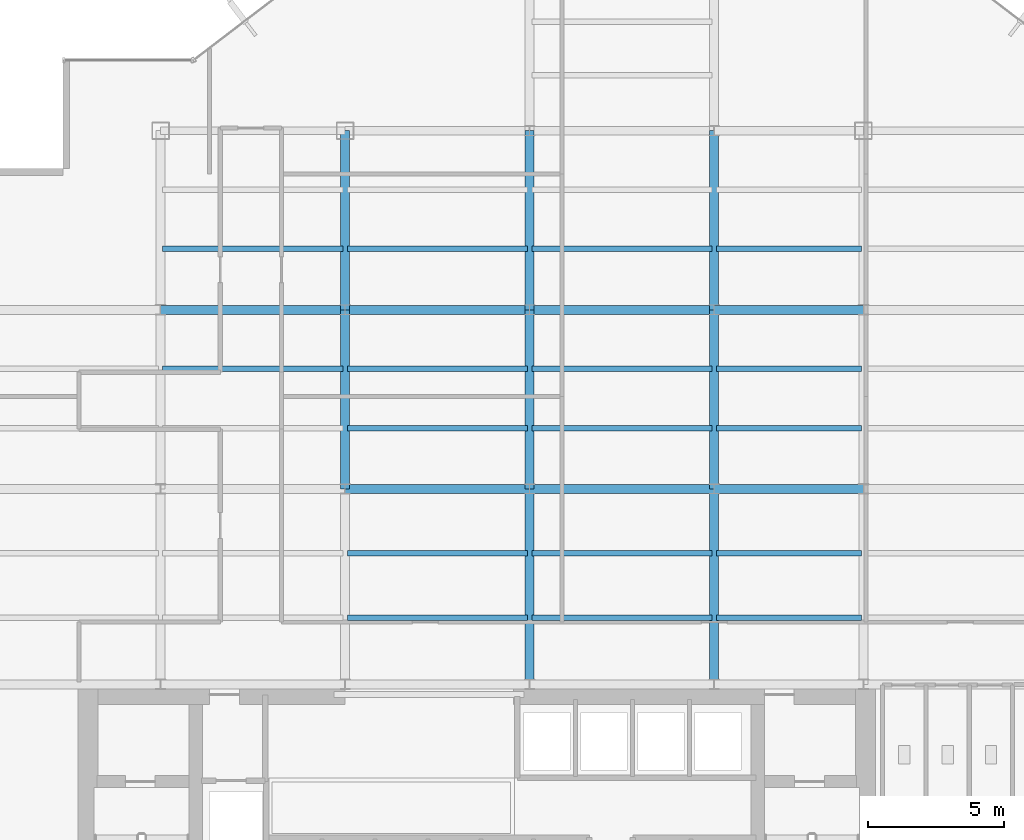
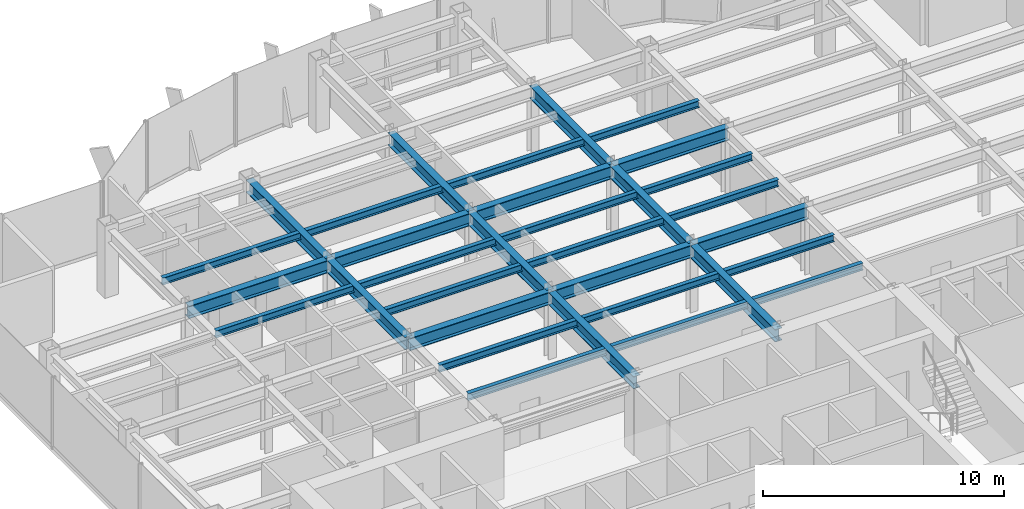
# One storey, part 8 of 23: 32 beams.
"""IFC4 building model written with IfcOpenShell, lengths in metres."""

from ifc_helpers import new_model, si_unit, derived_unit, direction, frame, origin, origin_2d, place, context, subcontext, project, spatial, i_section, extrude, source, transform, mapped, material, material_profile, profile_set, type_object, element, save


model = new_model("IFC4")

# Units and contexts
model_context = context("Model", 3, precision=1e-05, world=origin(), true_north=direction((0.0, 1.0)))
body_context = subcontext(model_context, "Body", "Model", "MODEL_VIEW")
ifc_project = project(units=[si_unit("LENGTHUNIT", "METRE"), si_unit("AREAUNIT", "SQUARE_METRE"), si_unit("VOLUMEUNIT", "CUBIC_METRE"), si_unit("PLANEANGLEUNIT", "RADIAN"), si_unit("MASSUNIT", "GRAM", prefix="KILO"), derived_unit("THERMALTRANSMITTANCEUNIT", [(si_unit("POWERUNIT", "WATT"), 1), (si_unit("LENGTHUNIT", "METRE"), -2), (si_unit("THERMODYNAMICTEMPERATUREUNIT", "KELVIN"), -1)])], contexts=[model_context])

# Site, building, storey
site_placement = place(None, origin())
site = spatial("IfcSite", under=ifc_project, at=site_placement, CompositionType="ELEMENT")
building_placement = place(site_placement, origin())
building = spatial("IfcBuilding", under=site, at=building_placement, Name="Skarnbrae Concourse Arena and Tower", CompositionType="ELEMENT")
storey_placement = place(building_placement, frame((0.0, 0.0, 140.60009765625)))
storey = spatial("IfcBuildingStorey", under=building, at=storey_placement, Name="L35", CompositionType="ELEMENT", Elevation=140.60009765625)

# Beams
ifc_material = material(Name="Steel CSA G40.21 350W", Category="steel")
ifc_material_profile_1 = material_profile(ifc_material, i_section(OverallWidth=0.3291015625, OverallDepth=0.635009765625, WebThickness=0.017822265625, FlangeThickness=0.031005859375, at=origin_2d()), Name="W610X241")
ifc_profile_set_1 = profile_set([ifc_material_profile_1], Name="Steel CSA G40.21 350W")
beam_type_1 = type_object("IfcBeamType", Name="BM-GIRD-W610X241", PredefinedType="BEAM", material=ifc_profile_set_1)
shared_shape_1 = source(origin(), body_context, "Body", "SweptSolid", [
    extrude(i_section(OverallWidth=0.3291015625, OverallDepth=0.635009765625, WebThickness=0.017822265625, FlangeThickness=0.031005859375, at=origin_2d()), origin(), (0.0, 0.0, 1.0), 6.60009765625),
])
for number, where, z_axis, x_axis, name in (
    (1, (14.39990234375, 21.199951171875, 3.08251953125), (0.0, 1.0, 0.0), (-1.0, 0.0, 0.0), "L35 Primary N-S girder X14.4-2"),
    (2, (21.199951171875, 21.199951171875, 3.08251953125), (0.0, 1.0, 0.0), (-1.0, 0.0, 0.0), "L35 Primary N-S girder X21.2-2"),
    (3, (28.0, 21.199951171875, 3.08251953125), (0.0, 1.0, 0.0), (-1.0, 0.0, 0.0), "L35 Primary N-S girder X28.0-2"),
):
    element("IfcBeam", number, at=place(storey_placement, frame(where, z_axis=z_axis, x_axis=x_axis)), inside=storey, type_object=beam_type_1, Name=name, PredefinedType="BEAM", context=body_context, shape_type="MappedRepresentation", body=[
        mapped(shared_shape_1, transform((0.0, 0.0, 0.0))),
    ])
shared_shape_2 = source(origin(), body_context, "Body", "SweptSolid", [
    extrude(i_section(OverallWidth=0.3291015625, OverallDepth=0.635009765625, WebThickness=0.017822265625, FlangeThickness=0.031005859375, at=origin_2d()), origin(), (0.0, 0.0, 1.0), 6.7998046875),
])
beam_placement = place(storey_placement, frame((7.60009765625, 27.800048828125, 3.08251953125), z_axis=(1.0, 0.0, 0.0), x_axis=(0.0, 1.0, 0.0)))
element("IfcBeam", 4, at=beam_placement, inside=storey, type_object=beam_type_1, Name="L35 Primary E-W girder Y27.8-2", PredefinedType="BEAM", context=body_context, shape_type="MappedRepresentation", body=[
    mapped(shared_shape_2, transform((0.0, 0.0, 0.0))),
])
shared_shape_3 = source(origin(), body_context, "Body", "SweptSolid", [
    extrude(i_section(OverallWidth=0.3291015625, OverallDepth=0.635009765625, WebThickness=0.017822265625, FlangeThickness=0.031005859375, at=origin_2d()), origin(), (0.0, 0.0, 1.0), 6.800048828125),
])
for number, where, z_axis, x_axis, name in (
    (5, (14.39990234375, 21.199951171875, 3.08251953125), (1.0, 0.0, 0.0), (0.0, 1.0, 0.0), "L35 Primary E-W girder Y21.2-3"),
    (6, (21.199951171875, 21.199951171875, 3.08251953125), (1.0, 0.0, 0.0), (0.0, 1.0, 0.0), "L35 Primary E-W girder Y21.2-4"),
    (7, (14.39990234375, 27.800048828125, 3.08251953125), (1.0, 0.0, 0.0), (0.0, 1.0, 0.0), "L35 Primary E-W girder Y27.8-3"),
    (8, (21.199951171875, 27.800048828125, 3.08251953125), (1.0, 0.0, 0.0), (0.0, 1.0, 0.0), "L35 Primary E-W girder Y27.8-4"),
):
    element("IfcBeam", number, at=place(storey_placement, frame(where, z_axis=z_axis, x_axis=x_axis)), inside=storey, type_object=beam_type_1, Name=name, PredefinedType="BEAM", context=body_context, shape_type="MappedRepresentation", body=[
        mapped(shared_shape_3, transform((0.0, 0.0, 0.0))),
    ])
shared_shape_4 = source(origin(), body_context, "Body", "SweptSolid", [
    extrude(i_section(OverallWidth=0.3291015625, OverallDepth=0.635009765625, WebThickness=0.017822265625, FlangeThickness=0.031005859375, at=origin_2d()), origin(), (0.0, 0.0, 1.0), 5.5),
])
for number, where, z_axis, x_axis, name in (
    (9, (28.0, 21.199951171875, 3.08251953125), (1.0, 0.0, 0.0), (0.0, 1.0, 0.0), "L35 Primary E-W girder Y21.2-5"),
    (10, (28.0, 27.800048828125, 3.08251953125), (1.0, 0.0, 0.0), (0.0, 1.0, 0.0), "L35 Primary E-W girder Y27.8-5"),
):
    element("IfcBeam", number, at=place(storey_placement, frame(where, z_axis=z_axis, x_axis=x_axis)), inside=storey, type_object=beam_type_1, Name=name, PredefinedType="BEAM", context=body_context, shape_type="MappedRepresentation", body=[
        mapped(shared_shape_4, transform((0.0, 0.0, 0.0))),
    ])
shared_shape_5 = source(origin(), body_context, "Body", "SweptSolid", [
    extrude(i_section(OverallWidth=0.3291015625, OverallDepth=0.635009765625, WebThickness=0.017822265625, FlangeThickness=0.031005859375, at=origin_2d()), origin(), (0.0, 0.0, 1.0), 7.199951171875),
])
for number, where, z_axis, x_axis, name in (
    (11, (21.199951171875, 14.0, 3.08251953125), (0.0, 1.0, 0.0), (-1.0, 0.0, 0.0), "L35 Primary N-S girder X21.2-1"),
    (12, (28.0, 14.0, 3.08251953125), (0.0, 1.0, 0.0), (-1.0, 0.0, 0.0), "L35 Primary N-S girder X28.0-1"),
):
    element("IfcBeam", number, at=place(storey_placement, frame(where, z_axis=z_axis, x_axis=x_axis)), inside=storey, type_object=beam_type_1, Name=name, PredefinedType="BEAM", context=body_context, shape_type="MappedRepresentation", body=[
        mapped(shared_shape_5, transform((0.0, 0.0, 0.0))),
    ])
shared_shape_6 = source(origin(), body_context, "Body", "SweptSolid", [
    extrude(i_section(OverallWidth=0.3291015625, OverallDepth=0.635009765625, WebThickness=0.017822265625, FlangeThickness=0.031005859375, at=origin_2d()), origin(), (0.0, 0.0, 1.0), 6.599853515625),
])
for number, where, z_axis, x_axis, name in (
    (13, (14.39990234375, 27.800048828125, 3.08251953125), (0.0, 1.0, 0.0), (-1.0, 0.0, 0.0), "L35 Primary N-S girder X14.4-3"),
    (14, (21.199951171875, 27.800048828125, 3.08251953125), (0.0, 1.0, 0.0), (-1.0, 0.0, 0.0), "L35 Primary N-S girder X21.2-3"),
    (15, (28.0, 27.800048828125, 3.08251953125), (0.0, 1.0, 0.0), (-1.0, 0.0, 0.0), "L35 Primary N-S girder X28.0-3"),
):
    element("IfcBeam", number, at=place(storey_placement, frame(where, z_axis=z_axis, x_axis=x_axis)), inside=storey, type_object=beam_type_1, Name=name, PredefinedType="BEAM", context=body_context, shape_type="MappedRepresentation", body=[
        mapped(shared_shape_6, transform((0.0, 0.0, 0.0))),
    ])
ifc_material_profile_2 = material_profile(ifc_material, i_section(OverallWidth=0.205078125, OverallDepth=0.35400390625, WebThickness=0.009521484375, FlangeThickness=0.016845703125, at=origin_2d()), Name="W360X79")
ifc_profile_set_2 = profile_set([ifc_material_profile_2], Name="Steel CSA G40.21 350W")
beam_type_2 = type_object("IfcBeamType", Name="BM-JOIST-W360X79", PredefinedType="JOIST", material=ifc_profile_set_2)
shared_shape_7 = source(origin(), body_context, "Body", "SweptSolid", [
    extrude(i_section(OverallWidth=0.205078125, OverallDepth=0.35400390625, WebThickness=0.009521484375, FlangeThickness=0.016845703125, at=origin_2d()), origin(), (0.0, 0.0, 1.0), 6.64013671875),
])
for number, where, z_axis, x_axis, name in (
    (16, (14.47998046875, 16.447998046875, 3.222900390625), (1.0, 0.0, 0.0), (0.0, 1.0, 0.0), "L35 Secondary floor joist 1.1.3"),
    (17, (14.47998046875, 18.823974609375, 3.222900390625), (1.0, 0.0, 0.0), (0.0, 1.0, 0.0), "L35 Secondary floor joist 1.2.3"),
    (18, (14.47998046875, 23.444091796875, 3.222900390625), (1.0, 0.0, 0.0), (0.0, 1.0, 0.0), "L35 Secondary floor joist 2.1.3"),
    (19, (7.679931640625, 25.6220703125, 3.222900390625), (1.0, 0.0, 0.0), (0.0, 1.0, 0.0), "L35 Secondary floor joist 2.2.2"),
    (20, (14.47998046875, 25.6220703125, 3.222900390625), (1.0, 0.0, 0.0), (0.0, 1.0, 0.0), "L35 Secondary floor joist 2.2.3"),
    (21, (7.679931640625, 30.0439453125, 3.222900390625), (1.0, 0.0, 0.0), (0.0, 1.0, 0.0), "L35 Secondary floor joist 3.1.1"),
    (22, (14.47998046875, 30.0439453125, 3.222900390625), (1.0, 0.0, 0.0), (0.0, 1.0, 0.0), "L35 Secondary floor joist 3.1.2"),
):
    element("IfcBeam", number, at=place(storey_placement, frame(where, z_axis=z_axis, x_axis=x_axis)), inside=storey, type_object=beam_type_2, Name=name, PredefinedType="JOIST", context=body_context, shape_type="MappedRepresentation", body=[
        mapped(shared_shape_7, transform((0.0, 0.0, 0.0))),
    ])
shared_shape_8 = source(origin(), body_context, "Body", "SweptSolid", [
    extrude(i_section(OverallWidth=0.205078125, OverallDepth=0.35400390625, WebThickness=0.009521484375, FlangeThickness=0.016845703125, at=origin_2d()), origin(), (0.0, 0.0, 1.0), 6.639892578125),
])
for number, where, z_axis, x_axis, name in (
    (23, (21.280029296875, 16.447998046875, 3.222900390625), (1.0, 0.0, 0.0), (0.0, 1.0, 0.0), "L35 Secondary floor joist 1.1.4"),
    (24, (21.280029296875, 18.823974609375, 3.222900390625), (1.0, 0.0, 0.0), (0.0, 1.0, 0.0), "L35 Secondary floor joist 1.2.4"),
    (25, (21.280029296875, 23.444091796875, 3.222900390625), (1.0, 0.0, 0.0), (0.0, 1.0, 0.0), "L35 Secondary floor joist 2.1.4"),
    (26, (21.280029296875, 25.6220703125, 3.222900390625), (1.0, 0.0, 0.0), (0.0, 1.0, 0.0), "L35 Secondary floor joist 2.2.4"),
    (27, (21.280029296875, 30.0439453125, 3.222900390625), (1.0, 0.0, 0.0), (0.0, 1.0, 0.0), "L35 Secondary floor joist 3.1.3"),
):
    element("IfcBeam", number, at=place(storey_placement, frame(where, z_axis=z_axis, x_axis=x_axis)), inside=storey, type_object=beam_type_2, Name=name, PredefinedType="JOIST", context=body_context, shape_type="MappedRepresentation", body=[
        mapped(shared_shape_8, transform((0.0, 0.0, 0.0))),
    ])
shared_shape_9 = source(origin(), body_context, "Body", "SweptSolid", [
    extrude(i_section(OverallWidth=0.205078125, OverallDepth=0.35400390625, WebThickness=0.009521484375, FlangeThickness=0.016845703125, at=origin_2d()), origin(), (0.0, 0.0, 1.0), 5.33984375),
])
for number, where, z_axis, x_axis, name in (
    (28, (28.080078125, 16.447998046875, 3.222900390625), (1.0, 0.0, 0.0), (0.0, 1.0, 0.0), "L35 Secondary floor joist 1.1.5"),
    (29, (28.080078125, 18.823974609375, 3.222900390625), (1.0, 0.0, 0.0), (0.0, 1.0, 0.0), "L35 Secondary floor joist 1.2.5"),
    (30, (28.080078125, 23.444091796875, 3.222900390625), (1.0, 0.0, 0.0), (0.0, 1.0, 0.0), "L35 Secondary floor joist 2.1.5"),
    (31, (28.080078125, 25.6220703125, 3.222900390625), (1.0, 0.0, 0.0), (0.0, 1.0, 0.0), "L35 Secondary floor joist 2.2.5"),
    (32, (28.080078125, 30.0439453125, 3.222900390625), (1.0, 0.0, 0.0), (0.0, 1.0, 0.0), "L35 Secondary floor joist 3.1.4"),
):
    element("IfcBeam", number, at=place(storey_placement, frame(where, z_axis=z_axis, x_axis=x_axis)), inside=storey, type_object=beam_type_2, Name=name, PredefinedType="JOIST", context=body_context, shape_type="MappedRepresentation", body=[
        mapped(shared_shape_9, transform((0.0, 0.0, 0.0))),
    ])

save(model, "model.ifc")
